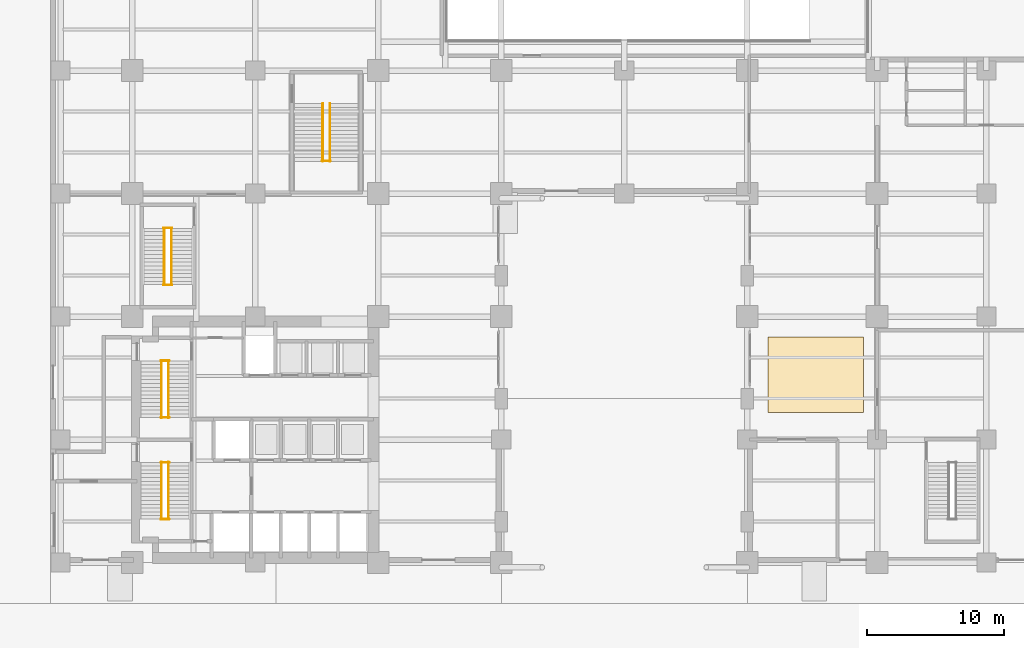
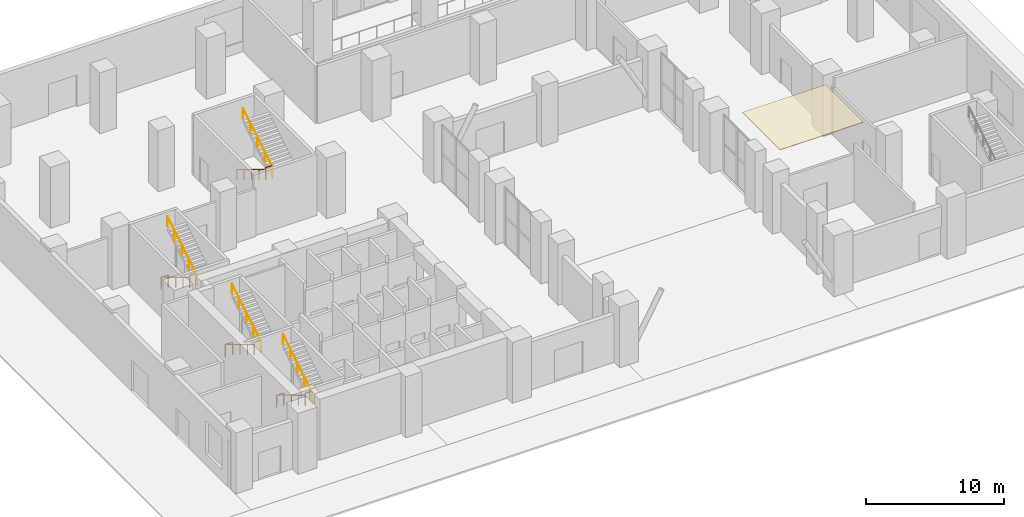
# One storey, part 15 of 17: 15 railings, 1 covering.
"""IFC4 building model written with IfcOpenShell, lengths in metres."""

from ifc_helpers import new_model, si_unit, direction, frame, origin, origin_2d, place, context, subcontext, project, spatial, polyline, circle, outline, extrude, material, layer, layer_set, type_object, element, save


model = new_model("IFC4")

# Units and contexts
model_context = context("Model", 3, precision=1e-05, world=origin(), true_north=direction((0.0, 1.0)))
body_context = subcontext(model_context, "Body", "Model", "MODEL_VIEW")
ifc_project = project(units=[si_unit("LENGTHUNIT", "METRE"), si_unit("AREAUNIT", "SQUARE_METRE"), si_unit("VOLUMEUNIT", "CUBIC_METRE"), si_unit("PLANEANGLEUNIT", "RADIAN"), si_unit("MASSUNIT", "GRAM", prefix="KILO")], contexts=[model_context])

# Site, building, storey
site_placement = place(None, origin())
site = spatial("IfcSite", under=ifc_project, at=site_placement, CompositionType="ELEMENT")
building_placement = place(site_placement, origin())
building = spatial("IfcBuilding", under=site, at=building_placement, Name="Mawjdan Bourse Tower", CompositionType="ELEMENT")
storey_placement = place(building_placement, origin())
storey = spatial("IfcBuildingStorey", under=building, at=storey_placement, Name="L00", CompositionType="ELEMENT", Elevation=0.0)

# Covering
ifc_material_1 = material(Name="Perforated Mineral-Fibre Acoustic Ceiling")
ifc_layer = layer(ifc_material_1, 0.044921875)
ifc_layer_set = layer_set([ifc_layer], Name="Perforated Mineral-Fibre Acoustic Ceiling")
covering_type = type_object("IfcCoveringType", Name="COV-CLG-AC", PredefinedType="CEILING", material=ifc_layer_set)
covering_placement = place(storey_placement, frame((0.0, 0.0, 5.054931640625)))
element("IfcCovering", 1, at=covering_placement, inside=storey, type_object=covering_type, Name="L00 Suspended Acoustic Ceiling", PredefinedType="CEILING", context=body_context, shape_type="SweptSolid", body=[
    extrude(outline(polyline([(52.5, 14.0), (59.5, 14.0), (59.5, 19.5), (52.5, 19.5), (52.5, 14.0)])), origin(), (0.0, 0.0, 1.0), 0.045166015625),
])

# Railings
ifc_material_2 = material(Name="Structural Steel S355", Category="steel")
railing_type_1 = type_object("IfcRailingType", Name="RLG-GRD-1100", PredefinedType="GUARDRAIL", material=ifc_material_2)
for number, where, name in (
    (2, (8.090087890625, 6.169921875, 2.699951171875), "L00 ST1 Landing Guardrail GL-MID"),
    (3, (8.090087890625, 10.330078125, 0.0), "L00 ST1 Landing Guardrail GL-BOT"),
    (4, (8.090087890625, 13.610107421875, 2.699951171875), "L00 ST2 Landing Guardrail GL-MID"),
    (5, (8.090087890625, 17.77001953125, 0.0), "L00 ST2 Landing Guardrail GL-BOT"),
    (6, (8.2900390625, 23.320068359375, 2.699951171875), "L00 ST3 Landing Guardrail GL-MID"),
    (7, (8.2900390625, 27.47998046875, 0.0), "L00 ST3 Landing Guardrail GL-BOT"),
):
    element("IfcRailing", number, at=place(storey_placement, frame(where)), inside=storey, type_object=railing_type_1, Name=name, PredefinedType="GUARDRAIL", context=body_context, shape_type="SweptSolid", body=[
        extrude(circle(Radius=0.02490234375, at=origin_2d()), frame((0.0, 0.0, 1.0751953125), z_axis=(1.0, 0.0, 0.0), x_axis=(0.0, 1.0, 0.0)), (0.0, 0.0, 1.0), 0.619873046875),
        extrude(circle(Radius=0.02099609375, at=origin_2d()), origin(), (0.0, 0.0, 1.0), 1.050048828125),
        extrude(circle(Radius=0.02099609375, at=origin_2d()), frame((0.619873046875, 0.0, 0.0)), (0.0, 0.0, 1.0), 1.050048828125),
    ])
railing_1_placement = place(storey_placement, frame((19.889892578125, 32.3798828125, 2.699951171875)))
element("IfcRailing", 8, at=railing_1_placement, inside=storey, type_object=railing_type_1, Name="L00 ST4 Landing Guardrail GL-MID", PredefinedType="GUARDRAIL", context=body_context, shape_type="SweptSolid", body=[
    extrude(circle(Radius=0.02490234375, at=origin_2d()), frame((0.0, 0.0, 1.0751953125), z_axis=(1.0, 0.0, 0.0), x_axis=(0.0, 1.0, 0.0)), (0.0, 0.0, 1.0), 0.6201171875),
    extrude(circle(Radius=0.02099609375, at=origin_2d()), origin(), (0.0, 0.0, 1.0), 1.050048828125),
    extrude(circle(Radius=0.02099609375, at=origin_2d()), frame((0.6201171875, 0.0, 0.0)), (0.0, 0.0, 1.0), 1.050048828125),
])
ifc_material_3 = material(Name="Brushed Stainless Steel", Category="steel")
railing_type_2 = type_object("IfcRailingType", Name="RLG-HND-920", PredefinedType="HANDRAIL", material=ifc_material_3)
railing_2_placement = place(storey_placement, frame((8.139892578125, 10.35009765625, 0.168701171875)))
element("IfcRailing", 9, at=railing_2_placement, inside=storey, type_object=railing_type_2, Name="L00 ST1 Flight Handrail HR1", PredefinedType="HANDRAIL", context=body_context, shape_type="SweptSolid", body=[
    extrude(circle(Radius=0.0224609375, at=origin_2d()), frame((0.0, 0.0, 0.8974609375), z_axis=(0.0, -0.856489757249, 0.516164020179), x_axis=(1.0, 0.0, 0.0)), (0.0, 0.0, 1.0), 4.904052734375),
    extrude(circle(Radius=0.01904296875, at=origin_2d()), origin(), (0.0, 0.0, 1.0), 0.875),
    extrude(circle(Radius=0.01904296875, at=origin_2d()), frame((0.0, -1.050048828125, 0.6328125)), (0.0, 0.0, 1.0), 0.875),
    extrude(circle(Radius=0.01904296875, at=origin_2d()), frame((0.0, -2.10009765625, 1.265625)), (0.0, 0.0, 1.0), 0.875),
    extrude(circle(Radius=0.01904296875, at=origin_2d()), frame((0.0, -3.150146484375, 1.8984375)), (0.0, 0.0, 1.0), 0.875),
    extrude(circle(Radius=0.01904296875, at=origin_2d()), frame((0.0, -4.2001953125, 2.53125)), (0.0, 0.0, 1.0), 0.875),
])
railing_3_placement = place(storey_placement, frame((8.659912109375, 6.14990234375, 2.86865234375)))
element("IfcRailing", 10, at=railing_3_placement, inside=storey, type_object=railing_type_2, Name="L00 ST1 Flight Handrail HR2", PredefinedType="HANDRAIL", context=body_context, shape_type="SweptSolid", body=[
    extrude(circle(Radius=0.0224609375, at=origin_2d()), frame((0.0, 0.0, 0.8974609375), z_axis=(0.0, 0.856489757249, 0.516164020179), x_axis=(-1.0, 0.0, 0.0)), (0.0, 0.0, 1.0), 4.904052734375),
    extrude(circle(Radius=0.01904296875, at=origin_2d()), origin(), (0.0, 0.0, 1.0), 0.875),
    extrude(circle(Radius=0.01904296875, at=origin_2d()), frame((0.0, 1.050048828125, 0.6328125)), (0.0, 0.0, 1.0), 0.875),
    extrude(circle(Radius=0.01904296875, at=origin_2d()), frame((0.0, 2.10009765625, 1.265625)), (0.0, 0.0, 1.0), 0.875),
    extrude(circle(Radius=0.01904296875, at=origin_2d()), frame((0.0, 3.150146484375, 1.8984375)), (0.0, 0.0, 1.0), 0.875),
    extrude(circle(Radius=0.01904296875, at=origin_2d()), frame((0.0, 4.2001953125, 2.53125)), (0.0, 0.0, 1.0), 0.875),
])
railing_4_placement = place(storey_placement, frame((8.139892578125, 17.7900390625, 0.168701171875)))
element("IfcRailing", 11, at=railing_4_placement, inside=storey, type_object=railing_type_2, Name="L00 ST2 Flight Handrail HR1", PredefinedType="HANDRAIL", context=body_context, shape_type="SweptSolid", body=[
    extrude(circle(Radius=0.0224609375, at=origin_2d()), frame((0.0, 0.0, 0.8974609375), z_axis=(0.0, -0.856476492594, 0.516186030065), x_axis=(1.0, 0.0, 0.0)), (0.0, 0.0, 1.0), 4.90380859375),
    extrude(circle(Radius=0.01904296875, at=origin_2d()), origin(), (0.0, 0.0, 1.0), 0.875),
    extrude(circle(Radius=0.01904296875, at=origin_2d()), frame((0.0, -1.050048828125, 0.6328125)), (0.0, 0.0, 1.0), 0.875),
    extrude(circle(Radius=0.01904296875, at=origin_2d()), frame((0.0, -2.10009765625, 1.265625)), (0.0, 0.0, 1.0), 0.875),
    extrude(circle(Radius=0.01904296875, at=origin_2d()), frame((0.0, -3.14990234375, 1.8984375)), (0.0, 0.0, 1.0), 0.875),
    extrude(circle(Radius=0.01904296875, at=origin_2d()), frame((0.0, -4.199951171875, 2.53125)), (0.0, 0.0, 1.0), 0.875),
])
railing_5_placement = place(storey_placement, frame((8.659912109375, 13.590087890625, 2.86865234375)))
element("IfcRailing", 12, at=railing_5_placement, inside=storey, type_object=railing_type_2, Name="L00 ST2 Flight Handrail HR2", PredefinedType="HANDRAIL", context=body_context, shape_type="SweptSolid", body=[
    extrude(circle(Radius=0.0224609375, at=origin_2d()), frame((0.0, 0.0, 0.8974609375), z_axis=(0.0, 0.856476492594, 0.516186030065), x_axis=(-1.0, 0.0, 0.0)), (0.0, 0.0, 1.0), 4.90380859375),
    extrude(circle(Radius=0.01904296875, at=origin_2d()), origin(), (0.0, 0.0, 1.0), 0.875),
    extrude(circle(Radius=0.01904296875, at=origin_2d()), frame((0.0, 1.050048828125, 0.6328125)), (0.0, 0.0, 1.0), 0.875),
    extrude(circle(Radius=0.01904296875, at=origin_2d()), frame((0.0, 2.10009765625, 1.265625)), (0.0, 0.0, 1.0), 0.875),
    extrude(circle(Radius=0.01904296875, at=origin_2d()), frame((0.0, 3.14990234375, 1.8984375)), (0.0, 0.0, 1.0), 0.875),
    extrude(circle(Radius=0.01904296875, at=origin_2d()), frame((0.0, 4.199951171875, 2.53125)), (0.0, 0.0, 1.0), 0.875),
])
railing_6_placement = place(storey_placement, frame((8.340087890625, 27.5, 0.168701171875)))
element("IfcRailing", 13, at=railing_6_placement, inside=storey, type_object=railing_type_2, Name="L00 ST3 Flight Handrail HR1", PredefinedType="HANDRAIL", context=body_context, shape_type="SweptSolid", body=[
    extrude(circle(Radius=0.0224609375, at=origin_2d()), frame((0.0, 0.0, 0.8974609375), z_axis=(0.0, -0.856476492594, 0.516186030065), x_axis=(1.0, 0.0, 0.0)), (0.0, 0.0, 1.0), 4.90380859375),
    extrude(circle(Radius=0.01904296875, at=origin_2d()), origin(), (0.0, 0.0, 1.0), 0.875),
    extrude(circle(Radius=0.01904296875, at=origin_2d()), frame((0.0, -1.050048828125, 0.6328125)), (0.0, 0.0, 1.0), 0.875),
    extrude(circle(Radius=0.01904296875, at=origin_2d()), frame((0.0, -2.10009765625, 1.265625)), (0.0, 0.0, 1.0), 0.875),
    extrude(circle(Radius=0.01904296875, at=origin_2d()), frame((0.0, -3.14990234375, 1.8984375)), (0.0, 0.0, 1.0), 0.875),
    extrude(circle(Radius=0.01904296875, at=origin_2d()), frame((0.0, -4.199951171875, 2.53125)), (0.0, 0.0, 1.0), 0.875),
])
railing_7_placement = place(storey_placement, frame((8.860107421875, 23.300048828125, 2.86865234375)))
element("IfcRailing", 14, at=railing_7_placement, inside=storey, type_object=railing_type_2, Name="L00 ST3 Flight Handrail HR2", PredefinedType="HANDRAIL", context=body_context, shape_type="SweptSolid", body=[
    extrude(circle(Radius=0.0224609375, at=origin_2d()), frame((0.0, 0.0, 0.8974609375), z_axis=(0.0, 0.856476492594, 0.516186030065), x_axis=(-1.0, 0.0, 0.0)), (0.0, 0.0, 1.0), 4.90380859375),
    extrude(circle(Radius=0.01904296875, at=origin_2d()), origin(), (0.0, 0.0, 1.0), 0.875),
    extrude(circle(Radius=0.01904296875, at=origin_2d()), frame((0.0, 1.050048828125, 0.6328125)), (0.0, 0.0, 1.0), 0.875),
    extrude(circle(Radius=0.01904296875, at=origin_2d()), frame((0.0, 2.10009765625, 1.265625)), (0.0, 0.0, 1.0), 0.875),
    extrude(circle(Radius=0.01904296875, at=origin_2d()), frame((0.0, 3.14990234375, 1.8984375)), (0.0, 0.0, 1.0), 0.875),
    extrude(circle(Radius=0.01904296875, at=origin_2d()), frame((0.0, 4.199951171875, 2.53125)), (0.0, 0.0, 1.0), 0.875),
])
railing_8_placement = place(storey_placement, frame((19.93994140625, 36.590087890625, 0.168701171875)))
element("IfcRailing", 15, at=railing_8_placement, inside=storey, type_object=railing_type_2, Name="L00 ST4 Flight Handrail HR1", PredefinedType="HANDRAIL", context=body_context, shape_type="SweptSolid", body=[
    extrude(circle(Radius=0.0224609375, at=origin_2d()), frame((0.0, 0.0, 0.8974609375), z_axis=(0.0, -0.858095394106, 0.51349030625), x_axis=(1.0, 0.0, 0.0)), (0.0, 0.0, 1.0), 4.929443359375),
    extrude(circle(Radius=0.01904296875, at=origin_2d()), origin(), (0.0, 0.0, 1.0), 0.875),
    extrude(circle(Radius=0.01904296875, at=origin_2d()), frame((0.0, -1.0576171875, 0.6328125)), (0.0, 0.0, 1.0), 0.875),
    extrude(circle(Radius=0.01904296875, at=origin_2d()), frame((0.0, -2.114990234375, 1.265625)), (0.0, 0.0, 1.0), 0.875),
    extrude(circle(Radius=0.01904296875, at=origin_2d()), frame((0.0, -3.17236328125, 1.8984375)), (0.0, 0.0, 1.0), 0.875),
    extrude(circle(Radius=0.01904296875, at=origin_2d()), frame((0.0, -4.22998046875, 2.53125)), (0.0, 0.0, 1.0), 0.875),
])
railing_9_placement = place(storey_placement, frame((20.4599609375, 32.360107421875, 2.86865234375)))
element("IfcRailing", 16, at=railing_9_placement, inside=storey, type_object=railing_type_2, Name="L00 ST4 Flight Handrail HR2", PredefinedType="HANDRAIL", context=body_context, shape_type="SweptSolid", body=[
    extrude(circle(Radius=0.0224609375, at=origin_2d()), frame((0.0, 0.0, 0.8974609375), z_axis=(0.0, 0.858095394106, 0.51349030625), x_axis=(-1.0, 0.0, 0.0)), (0.0, 0.0, 1.0), 4.929443359375),
    extrude(circle(Radius=0.01904296875, at=origin_2d()), origin(), (0.0, 0.0, 1.0), 0.875),
    extrude(circle(Radius=0.01904296875, at=origin_2d()), frame((0.0, 1.0576171875, 0.6328125)), (0.0, 0.0, 1.0), 0.875),
    extrude(circle(Radius=0.01904296875, at=origin_2d()), frame((0.0, 2.114990234375, 1.265625)), (0.0, 0.0, 1.0), 0.875),
    extrude(circle(Radius=0.01904296875, at=origin_2d()), frame((0.0, 3.17236328125, 1.8984375)), (0.0, 0.0, 1.0), 0.875),
    extrude(circle(Radius=0.01904296875, at=origin_2d()), frame((0.0, 4.22998046875, 2.53125)), (0.0, 0.0, 1.0), 0.875),
])

save(model, "model.ifc")
